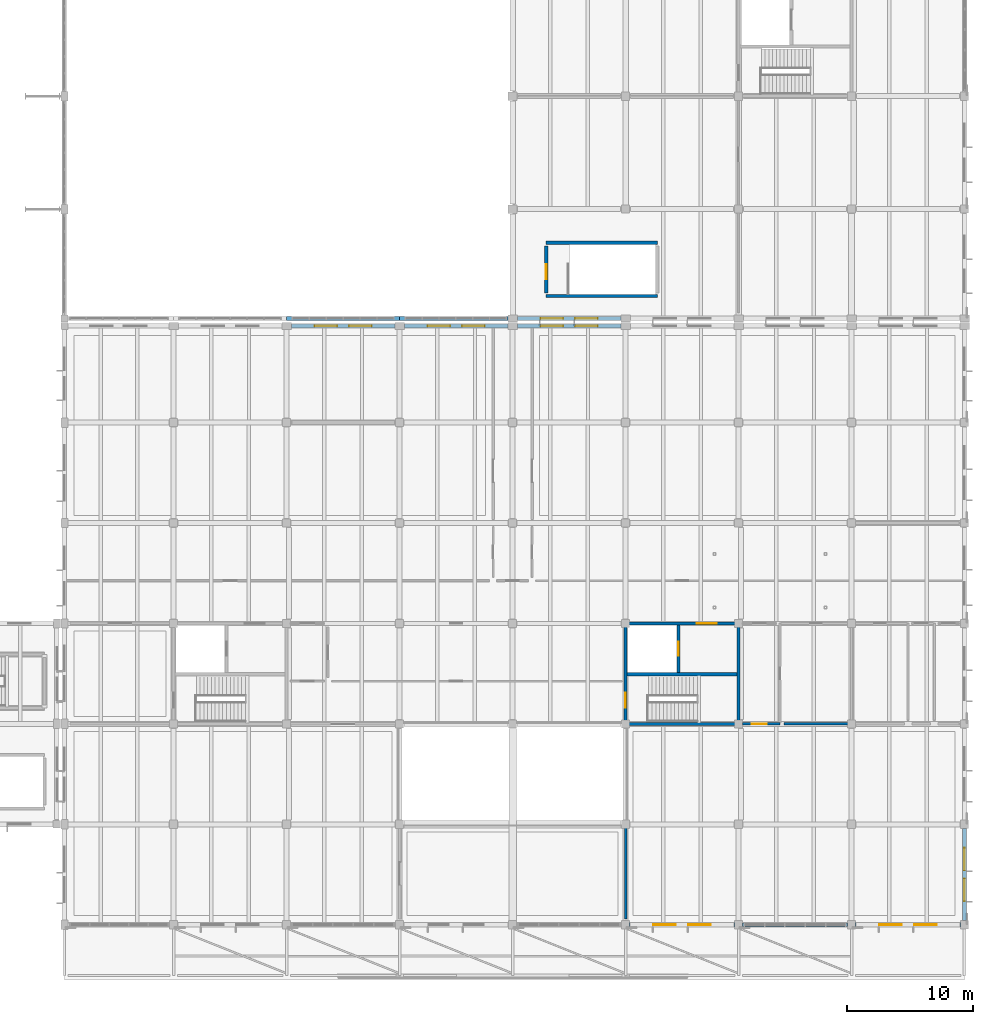
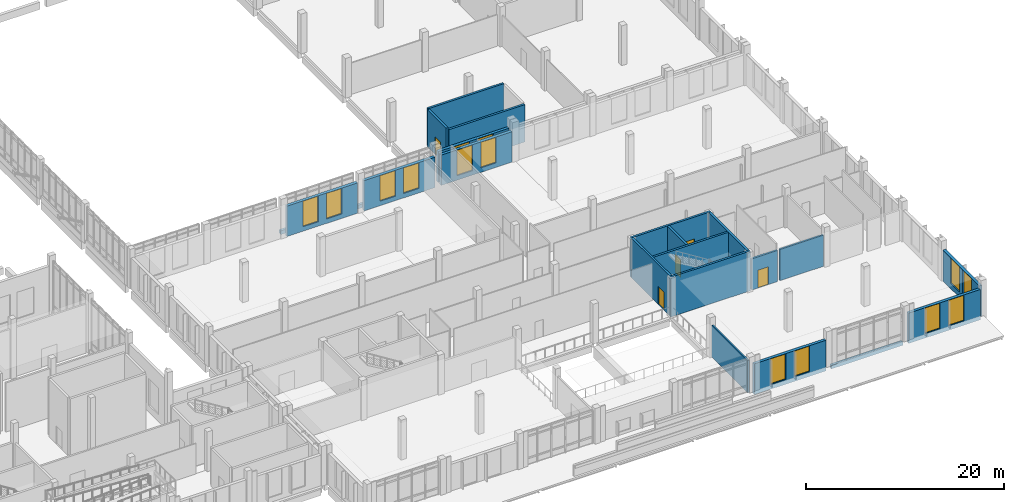
# One storey, part 86 of 110: 22 walls, 14 windows, 5 doors, 19 openings.
"""IFC4 building model written with IfcOpenShell, lengths in metres."""

from ifc_helpers import new_model, si_unit, direction, frame, frame_2d, origin, place, context, subcontext, project, spatial, rectangle, extrude, material, layer, layer_set, type_object, element, fill, save


model = new_model("IFC4")

# Units and contexts
model_context = context("Model", 3, precision=1e-05, world=origin(), true_north=direction((0.0, 1.0)))
body_context = subcontext(model_context, "Body", "Model", "MODEL_VIEW")
ifc_project = project(units=[si_unit("LENGTHUNIT", "METRE"), si_unit("AREAUNIT", "SQUARE_METRE"), si_unit("VOLUMEUNIT", "CUBIC_METRE"), si_unit("PLANEANGLEUNIT", "RADIAN"), si_unit("MASSUNIT", "GRAM", prefix="KILO")], contexts=[model_context])

# Site, building, storey
site_placement = place(None, origin())
site = spatial("IfcSite", under=ifc_project, at=site_placement, CompositionType="ELEMENT")
building_placement = place(site_placement, origin())
building = spatial("IfcBuilding", under=site, at=building_placement, Name="Zacnel Wholesale Market", CompositionType="ELEMENT")
storey_placement = place(building_placement, frame((0.0, 0.0, 6.300048828125)))
storey = spatial("IfcBuildingStorey", under=building, at=storey_placement, Name="L02", CompositionType="ELEMENT", Elevation=6.300048828125)

# Walls
ifc_material_1 = material(Name="PIR insulated cold-store panel")
ifc_layer_1 = layer(ifc_material_1, 0.195068359375)
ifc_layer_set_1 = layer_set([ifc_layer_1], Name="PIR insulated cold-store panel")
wall_type_1 = type_object("IfcWallType", Name="WL-COLD-INT195", PredefinedType="STANDARD", material=ifc_layer_set_1)
wall_1_placement = place(storey_placement, frame((189.0, 0.449951171875, 0.0), z_axis=(0.0, 0.0, 1.0), x_axis=(0.0, 1.0, 0.0)))
element("IfcWall", 1, at=wall_1_placement, inside=storey, type_object=wall_type_1, Name="Interior partition L02-0128", PredefinedType="STANDARD", context=body_context, shape_type="SweptSolid", body=[
    extrude(rectangle(XDim=7.25, YDim=0.195068359375, at=frame_2d((3.625, 0.0))), origin(), (0.0, 0.0, 1.0), 3.949951171875),
])
wall_2_placement = place(storey_placement, frame((201.60009765625, 16.0, 0.0), z_axis=(0.0, 0.0, 1.0), x_axis=(1.0, 0.0, 0.0)))
element("IfcWall", 2, at=wall_2_placement, inside=storey, type_object=wall_type_1, Name="Interior partition L02-0130", PredefinedType="STANDARD", context=body_context, shape_type="SweptSolid", body=[
    extrude(rectangle(XDim=5.099853515625, YDim=0.195068359375, at=frame_2d((2.5498046875, 0.0))), origin(), (0.0, 0.0, 1.0), 3.849853515625),
])

# Wall, opening, door
ifc_material_2 = material(Name="PIR insulated cold-store panel")
ifc_layer_2 = layer(ifc_material_2, 0.2099609375)
ifc_layer_set_2 = layer_set([ifc_layer_2], Name="PIR insulated cold-store panel")
wall_type_2 = type_object("IfcWallType", Name="WL-COLD-INT210", PredefinedType="STANDARD", material=ifc_layer_set_2)
wall_3_placement = place(storey_placement, frame((198.300048828125, 16.0, 0.0), z_axis=(0.0, 0.0, 1.0), x_axis=(1.0, 0.0, 0.0)))
wall_3 = element("IfcWall", 3, at=wall_3_placement, inside=storey, type_object=wall_type_2, Name="Interior partition L02-0129", PredefinedType="STANDARD", context=body_context, shape_type="SweptSolid", body=[
    extrude(rectangle(XDim=3.0, YDim=0.2099609375, at=frame_2d((1.5, 0.0))), origin(), (0.0, 0.0, 1.0), 3.849853515625),
])
opening_1_placement = place(wall_3_placement, frame((0.75, 0.0, 0.0)))
opening_1 = element("IfcOpeningElement", 4, at=opening_1_placement, cuts=wall_3, Name="Opening FD-01", PredefinedType="OPENING", context=body_context, shape_type="SweptSolid", body=[
    extrude(rectangle(XDim=1.199951171875, YDim=2.199951171875, at=frame_2d((0.60009765625, 1.10009765625))), frame((0.0, 0.114990234375, 0.0), z_axis=(0.0, -1.0, 0.0), x_axis=(1.0, 0.0, 0.0)), (0.0, 0.0, 1.0), 0.22998046875),
])
ifc_material_3 = material(Name="Galvanized steel", Category="steel")
door_type_1 = type_object("IfcDoorType", Name="DR-FIRE-STAIR-1200", OperationType="NOTDEFINED", PredefinedType="DOOR", material=ifc_material_3)
door_1_placement = place(opening_1_placement, origin())
door_1 = element("IfcDoor", 5, at=door_1_placement, inside=storey, type_object=door_type_1, Name="Interior door L02-0105", OperationType="SINGLE_SWING_LEFT", OverallHeight=2.199951171875, OverallWidth=1.199951171875, PredefinedType="DOOR", context=body_context, shape_type="SweptSolid", body=[
    extrude(rectangle(XDim=1.199951171875, YDim=2.199951171875, at=frame_2d((0.60009765625, 1.10009765625))), frame((0.0, 0.02490234375, 0.0), z_axis=(0.0, -1.0, 0.0), x_axis=(1.0, 0.0, 0.0)), (0.0, 0.0, 1.0), 0.050048828125),
])
fill(opening_1, door_1)

# Wall
ifc_material_4 = material(Name="Concrete C40/50", Category="concrete")
ifc_layer_3 = layer(ifc_material_4, 0.25)
ifc_layer_set_3 = layer_set([ifc_layer_3], Name="Concrete C40/50")
wall_type_3 = type_object("IfcWallType", Name="WL-CORE-SW250", PredefinedType="SOLIDWALL", material=ifc_layer_set_3)
wall_4_placement = place(storey_placement, frame((188.875, 16.0, 0.0), z_axis=(0.0, 0.0, 1.0), x_axis=(1.0, 0.0, 0.0)))
element("IfcWall", 6, at=wall_4_placement, inside=storey, type_object=wall_type_3, Name="Core C2 south shear wall L02", PredefinedType="SOLIDWALL", context=body_context, shape_type="SweptSolid", body=[
    extrude(rectangle(XDim=9.25, YDim=0.25, at=frame_2d((4.625, 0.0))), origin(), (0.0, 0.0, 1.0), 4.89990234375),
])

# Wall, opening, door
wall_5_placement = place(storey_placement, frame((188.875, 24.0, 0.0), z_axis=(0.0, 0.0, 1.0), x_axis=(1.0, 0.0, 0.0)))
wall_5 = element("IfcWall", 7, at=wall_5_placement, inside=storey, type_object=wall_type_3, Name="Core C2 north shear wall L02", PredefinedType="SOLIDWALL", context=body_context, shape_type="SweptSolid", body=[
    extrude(rectangle(XDim=9.25, YDim=0.25, at=frame_2d((4.625, 0.0))), origin(), (0.0, 0.0, 1.0), 4.89990234375),
])
opening_2_placement = place(wall_5_placement, frame((5.77490234375, 0.0, 0.0)))
opening_2 = element("IfcOpeningElement", 8, at=opening_2_placement, cuts=wall_5, Name="Opening FD-02", PredefinedType="OPENING", context=body_context, shape_type="SweptSolid", body=[
    extrude(rectangle(XDim=1.60009765625, YDim=2.199951171875, at=frame_2d((0.800048828125, 1.10009765625))), frame((0.0, 0.135009765625, 0.0), z_axis=(0.0, -1.0, 0.0), x_axis=(1.0, 0.0, 0.0)), (0.0, 0.0, 1.0), 0.27001953125),
])
ifc_material_5 = material(Name="Galvanized steel", Category="steel")
door_type_2 = type_object("IfcDoorType", Name="DR-FIRE-LOBBY-1600", OperationType="NOTDEFINED", PredefinedType="DOOR", material=ifc_material_5)
door_2_placement = place(opening_2_placement, origin())
door_2 = element("IfcDoor", 9, at=door_2_placement, inside=storey, type_object=door_type_2, Name="Core lift lobby fire door C2 L02", OperationType="SINGLE_SWING_LEFT", OverallHeight=2.199951171875, OverallWidth=1.60009765625, PredefinedType="DOOR", context=body_context, shape_type="SweptSolid", body=[
    extrude(rectangle(XDim=1.60009765625, YDim=2.199951171875, at=frame_2d((0.800048828125, 1.10009765625))), frame((0.0, 0.02490234375, 0.0), z_axis=(0.0, -1.0, 0.0), x_axis=(1.0, 0.0, 0.0)), (0.0, 0.0, 1.0), 0.050048828125),
])
fill(opening_2, door_2)

wall_6_placement = place(storey_placement, frame((189.0, 16.125, 0.0), z_axis=(0.0, 0.0, 1.0), x_axis=(0.0, 1.0, 0.0)))
wall_6 = element("IfcWall", 10, at=wall_6_placement, inside=storey, type_object=wall_type_3, Name="Core C2 west shear wall L02", PredefinedType="SOLIDWALL", context=body_context, shape_type="SweptSolid", body=[
    extrude(rectangle(XDim=7.75, YDim=0.25, at=frame_2d((3.875, 0.0))), origin(), (0.0, 0.0, 1.0), 4.89990234375),
])
opening_3_placement = place(wall_6_placement, frame((1.14990234375, 0.0, 0.0)))
opening_3 = element("IfcOpeningElement", 11, at=opening_3_placement, cuts=wall_6, Name="Opening FD-01", PredefinedType="OPENING", context=body_context, shape_type="SweptSolid", body=[
    extrude(rectangle(XDim=1.199951171875, YDim=2.199951171875, at=frame_2d((0.60009765625, 1.10009765625))), frame((0.0, 0.135009765625, 0.0), z_axis=(0.0, -1.0, 0.0), x_axis=(1.0, 0.0, 0.0)), (0.0, 0.0, 1.0), 0.27001953125),
])
door_3_placement = place(opening_3_placement, origin())
door_3 = element("IfcDoor", 12, at=door_3_placement, inside=storey, type_object=door_type_1, Name="Protected stair fire door C2 L02", OperationType="SINGLE_SWING_RIGHT", OverallHeight=2.199951171875, OverallWidth=1.199951171875, PredefinedType="DOOR", context=body_context, shape_type="SweptSolid", body=[
    extrude(rectangle(XDim=1.199951171875, YDim=2.199951171875, at=frame_2d((0.60009765625, 1.10009765625))), frame((0.0, 0.02490234375, 0.0), z_axis=(0.0, -1.0, 0.0), x_axis=(1.0, 0.0, 0.0)), (0.0, 0.0, 1.0), 0.050048828125),
])
fill(opening_3, door_3)

# Walls
wall_7_placement = place(storey_placement, frame((198.0, 16.125, 0.0), z_axis=(0.0, 0.0, 1.0), x_axis=(0.0, 1.0, 0.0)))
element("IfcWall", 13, at=wall_7_placement, inside=storey, type_object=wall_type_3, Name="Core C2 east shear wall L02", PredefinedType="SOLIDWALL", context=body_context, shape_type="SweptSolid", body=[
    extrude(rectangle(XDim=7.75, YDim=0.25, at=frame_2d((3.875, 0.0))), origin(), (0.0, 0.0, 1.0), 4.89990234375),
])
wall_8_placement = place(storey_placement, frame((189.125, 19.949951171875, 0.0), z_axis=(0.0, 0.0, 1.0), x_axis=(1.0, 0.0, 0.0)))
element("IfcWall", 14, at=wall_8_placement, inside=storey, type_object=wall_type_3, Name="Core C2 stair-shaft shear wall L02", PredefinedType="SOLIDWALL", context=body_context, shape_type="SweptSolid", body=[
    extrude(rectangle(XDim=8.75, YDim=0.25, at=frame_2d((4.375, 0.0))), origin(), (0.0, 0.0, 1.0), 4.89990234375),
])

# Wall, opening, door
wall_9_placement = place(storey_placement, frame((193.199951171875, 20.074951171875, 0.0), z_axis=(0.0, 0.0, 1.0), x_axis=(0.0, 1.0, 0.0)))
wall_9 = element("IfcWall", 15, at=wall_9_placement, inside=storey, type_object=wall_type_3, Name="Core C2 lift shaft front wall L02", PredefinedType="SOLIDWALL", context=body_context, shape_type="SweptSolid", body=[
    extrude(rectangle(XDim=3.800048828125, YDim=0.25, at=frame_2d((1.89990234375, 0.0))), origin(), (0.0, 0.0, 1.0), 4.89990234375),
])
opening_4_placement = place(wall_9_placement, frame((1.35009765625, 0.0, 0.0)))
opening_4 = element("IfcOpeningElement", 16, at=opening_4_placement, cuts=wall_9, Name="Opening LD-01", PredefinedType="OPENING", context=body_context, shape_type="SweptSolid", body=[
    extrude(rectangle(XDim=1.10009765625, YDim=2.199951171875, at=frame_2d((0.550048828125, 1.10009765625))), frame((0.0, 0.135009765625, 0.0), z_axis=(0.0, -1.0, 0.0), x_axis=(1.0, 0.0, 0.0)), (0.0, 0.0, 1.0), 0.27001953125),
])
ifc_material_6 = material(Name="Galvanized steel", Category="steel")
door_type_3 = type_object("IfcDoorType", Name="DR-LIFT-PASS-1100", OperationType="NOTDEFINED", PredefinedType="DOOR", material=ifc_material_6)
door_4_placement = place(opening_4_placement, origin())
door_4 = element("IfcDoor", 17, at=door_4_placement, inside=storey, type_object=door_type_3, Name="Lift landing door LP-02 L02", OperationType="SLIDING_TO_LEFT", OverallHeight=2.199951171875, OverallWidth=1.10009765625, PredefinedType="DOOR", context=body_context, shape_type="SweptSolid", body=[
    extrude(rectangle(XDim=1.10009765625, YDim=2.199951171875, at=frame_2d((0.550048828125, 1.10009765625))), frame((0.0, 0.02490234375, 0.0), z_axis=(0.0, -1.0, 0.0), x_axis=(1.0, 0.0, 0.0)), (0.0, 0.0, 1.0), 0.050048828125),
])
fill(opening_4, door_4)

# Walls
for number, where, z_axis, x_axis, name in (
    (18, (182.675048828125, 50.074951171875, 0.0), (0.0, 0.0, 1.0), (1.0, 0.0, 0.0), "Stair ST-22 south enclosure wall L02"),
    (19, (182.675048828125, 54.324951171875, 0.0), (0.0, 0.0, 1.0), (1.0, 0.0, 0.0), "Stair ST-22 north enclosure wall L02"),
):
    element("IfcWall", number, at=place(storey_placement, frame(where, z_axis=z_axis, x_axis=x_axis)), inside=storey, type_object=wall_type_3, Name=name, PredefinedType="SOLIDWALL", context=body_context, shape_type="SweptSolid", body=[
        extrude(rectangle(XDim=8.849853515625, YDim=0.25, at=frame_2d((4.4248046875, 0.0))), origin(), (0.0, 0.0, 1.0), 4.599853515625),
    ])

# Wall, opening, door
wall_10_placement = place(storey_placement, frame((182.675048828125, 50.324951171875, 0.0), z_axis=(0.0, 0.0, 1.0), x_axis=(0.0, 1.0, 0.0)))
wall_10 = element("IfcWall", 20, at=wall_10_placement, inside=storey, type_object=wall_type_3, Name="Stair ST-22 west enclosure wall L02", PredefinedType="SOLIDWALL", context=body_context, shape_type="SweptSolid", body=[
    extrude(rectangle(XDim=3.75, YDim=0.25, at=frame_2d((1.875, 0.0))), origin(), (0.0, 0.0, 1.0), 4.599853515625),
])
opening_5_placement = place(wall_10_placement, frame((1.10009765625, 0.0, 0.0)))
opening_5 = element("IfcOpeningElement", 21, at=opening_5_placement, cuts=wall_10, Name="Opening FD-01", PredefinedType="OPENING", context=body_context, shape_type="SweptSolid", body=[
    extrude(rectangle(XDim=1.199951171875, YDim=2.199951171875, at=frame_2d((0.60009765625, 1.10009765625))), frame((0.0, 0.135009765625, 0.0), z_axis=(0.0, -1.0, 0.0), x_axis=(1.0, 0.0, 0.0)), (0.0, 0.0, 1.0), 0.27001953125),
])
door_5_placement = place(opening_5_placement, origin())
door_5 = element("IfcDoor", 22, at=door_5_placement, inside=storey, type_object=door_type_1, Name="Stair ST-22 fire door L02", OperationType="SINGLE_SWING_LEFT", OverallHeight=2.199951171875, OverallWidth=1.199951171875, PredefinedType="DOOR", context=body_context, shape_type="SweptSolid", body=[
    extrude(rectangle(XDim=1.199951171875, YDim=2.199951171875, at=frame_2d((0.60009765625, 1.10009765625))), frame((0.0, 0.02490234375, 0.0), z_axis=(0.0, -1.0, 0.0), x_axis=(1.0, 0.0, 0.0)), (0.0, 0.0, 1.0), 0.050048828125),
])
fill(opening_5, door_5)

# Walls
ifc_material_7 = material(Name="Precast concrete C40/50 (Cancun limestone aggregate)", Category="masonry")
ifc_layer_4 = layer(ifc_material_7, 0.300048828125)
ifc_layer_set_4 = layer_set([ifc_layer_4], Name="Precast concrete C40/50 (Cancun limestone aggregate)")
wall_type_4 = type_object("IfcWallType", Name="WL-EXT-LIME-300", PredefinedType="SOLIDWALL", material=ifc_layer_set_4)
wall_11_placement = place(storey_placement, frame((198.324951171875, 0.0, 0.0), z_axis=(0.0, 0.0, 1.0), x_axis=(1.0, 0.0, 0.0)))
element("IfcWall", 23, at=wall_11_placement, inside=storey, type_object=wall_type_4, Name="Curtain-wall limestone plinth L02-0019", PredefinedType="SOLIDWALL", context=body_context, shape_type="SweptSolid", body=[
    extrude(rectangle(XDim=8.35009765625, YDim=0.300048828125, at=frame_2d((4.175048828125, 0.0))), origin(), (0.0, 0.0, 1.0), 0.449951171875),
])
wall_12_placement = place(storey_placement, frame((162.0, 48.300048828125, 0.0), z_axis=(0.0, 0.0, 1.0), x_axis=(1.0, 0.0, 0.0)))
element("IfcWall", 24, at=wall_12_placement, inside=storey, type_object=wall_type_4, Name="Curtain-wall limestone plinth L02-0039", PredefinedType="SOLIDWALL", context=body_context, shape_type="SweptSolid", body=[
    extrude(rectangle(XDim=9.0, YDim=0.300048828125, at=frame_2d((4.5, 0.0))), origin(), (0.0, 0.0, 1.0), 0.449951171875),
])
wall_13_placement = place(storey_placement, frame((171.0, 48.300048828125, 0.0), z_axis=(0.0, 0.0, 1.0), x_axis=(1.0, 0.0, 0.0)))
element("IfcWall", 25, at=wall_13_placement, inside=storey, type_object=wall_type_4, Name="Curtain-wall limestone plinth L02-0040", PredefinedType="SOLIDWALL", context=body_context, shape_type="SweptSolid", body=[
    extrude(rectangle(XDim=8.625, YDim=0.300048828125, at=frame_2d((4.3125, 0.0))), origin(), (0.0, 0.0, 1.0), 0.449951171875),
])

# Wall, openings, windows
ifc_material_8 = material(Name="Precast concrete C40/50 (Cancun limestone aggregate)", Category="masonry")
ifc_layer_5 = layer(ifc_material_8, 0.340087890625)
ifc_layer_set_5 = layer_set([ifc_layer_5], Name="Precast concrete C40/50 (Cancun limestone aggregate)")
wall_type_5 = type_object("IfcWallType", Name="WL-EXT-LIME-340", PredefinedType="SOLIDWALL", material=ifc_layer_set_5)
wall_14_placement = place(storey_placement, frame((189.324951171875, 0.0, 0.0), z_axis=(0.0, 0.0, 1.0), x_axis=(1.0, 0.0, 0.0)))
wall_14 = element("IfcWall", 26, at=wall_14_placement, inside=storey, type_object=wall_type_5, Name="Exterior wall L02-0261", PredefinedType="SOLIDWALL", context=body_context, shape_type="SweptSolid", body=[
    extrude(rectangle(XDim=8.35009765625, YDim=0.340087890625, at=frame_2d((4.175048828125, 0.0))), origin(), (0.0, 0.0, 1.0), 3.780029296875),
])
opening_6_placement = place(wall_14_placement, frame((1.883056640625, 0.0, 0.590087890625)))
opening_6 = element("IfcOpeningElement", 27, at=opening_6_placement, cuts=wall_14, Name="Opening W-03", PredefinedType="OPENING", context=body_context, shape_type="SweptSolid", body=[
    extrude(rectangle(XDim=1.800048828125, YDim=3.14990234375, at=frame_2d((0.89990234375, 1.574951171875))), frame((0.0, 0.179931640625, 0.0), z_axis=(0.0, -1.0, 0.0), x_axis=(1.0, 0.0, 0.0)), (0.0, 0.0, 1.0), 0.360107421875),
])
opening_7_placement = place(wall_14_placement, frame((4.6669921875, 0.0, 0.590087890625)))
opening_7 = element("IfcOpeningElement", 28, at=opening_7_placement, cuts=wall_14, Name="Opening W-03", PredefinedType="OPENING", context=body_context, shape_type="SweptSolid", body=[
    extrude(rectangle(XDim=1.800048828125, YDim=3.14990234375, at=frame_2d((0.89990234375, 1.574951171875))), frame((0.0, 0.179931640625, 0.0), z_axis=(0.0, -1.0, 0.0), x_axis=(1.0, 0.0, 0.0)), (0.0, 0.0, 1.0), 0.360107421875),
])
ifc_material_9 = material(Name="Laminated hurricane-impact low-E insulated glass", Category="glass")
window_type = type_object("IfcWindowType", Name="WIN-DEC-1800X3150", PartitioningType="DOUBLE_PANEL_VERTICAL", PredefinedType="WINDOW", material=ifc_material_9)
window_1_placement = place(opening_6_placement, origin())
window_1 = element("IfcWindow", 29, at=window_1_placement, inside=storey, type_object=window_type, Name="Window L02-0257", OverallHeight=3.14990234375, OverallWidth=1.800048828125, PartitioningType="DOUBLE_PANEL_VERTICAL", PredefinedType="WINDOW", context=body_context, shape_type="SweptSolid", body=[
    extrude(rectangle(XDim=1.800048828125, YDim=3.14990234375, at=frame_2d((0.89990234375, 1.574951171875))), frame((0.0, 0.030029296875, 0.0), z_axis=(0.0, -1.0, 0.0), x_axis=(1.0, 0.0, 0.0)), (0.0, 0.0, 1.0), 0.06005859375),
])
fill(opening_6, window_1)
window_2_placement = place(opening_7_placement, origin())
window_2 = element("IfcWindow", 30, at=window_2_placement, inside=storey, type_object=window_type, Name="Window L02-0258", OverallHeight=3.14990234375, OverallWidth=1.800048828125, PartitioningType="DOUBLE_PANEL_VERTICAL", PredefinedType="WINDOW", context=body_context, shape_type="SweptSolid", body=[
    extrude(rectangle(XDim=1.800048828125, YDim=3.14990234375, at=frame_2d((0.89990234375, 1.574951171875))), frame((0.0, 0.030029296875, 0.0), z_axis=(0.0, -1.0, 0.0), x_axis=(1.0, 0.0, 0.0)), (0.0, 0.0, 1.0), 0.06005859375),
])
fill(opening_7, window_2)

wall_15_placement = place(storey_placement, frame((207.324951171875, 0.0, 0.0), z_axis=(0.0, 0.0, 1.0), x_axis=(1.0, 0.0, 0.0)))
wall_15 = element("IfcWall", 31, at=wall_15_placement, inside=storey, type_object=wall_type_5, Name="Exterior wall L02-0262", PredefinedType="SOLIDWALL", context=body_context, shape_type="SweptSolid", body=[
    extrude(rectangle(XDim=8.35009765625, YDim=0.340087890625, at=frame_2d((4.175048828125, 0.0))), origin(), (0.0, 0.0, 1.0), 3.739990234375),
])
opening_8_placement = place(wall_15_placement, frame((1.883056640625, 0.0, 0.550048828125)))
opening_8 = element("IfcOpeningElement", 32, at=opening_8_placement, cuts=wall_15, Name="Opening W-03", PredefinedType="OPENING", context=body_context, shape_type="SweptSolid", body=[
    extrude(rectangle(XDim=1.800048828125, YDim=3.14990234375, at=frame_2d((0.89990234375, 1.574951171875))), frame((0.0, 0.179931640625, 0.0), z_axis=(0.0, -1.0, 0.0), x_axis=(1.0, 0.0, 0.0)), (0.0, 0.0, 1.0), 0.360107421875),
])
opening_9_placement = place(wall_15_placement, frame((4.6669921875, 0.0, 0.550048828125)))
opening_9 = element("IfcOpeningElement", 33, at=opening_9_placement, cuts=wall_15, Name="Opening W-03", PredefinedType="OPENING", context=body_context, shape_type="SweptSolid", body=[
    extrude(rectangle(XDim=1.800048828125, YDim=3.14990234375, at=frame_2d((0.89990234375, 1.574951171875))), frame((0.0, 0.179931640625, 0.0), z_axis=(0.0, -1.0, 0.0), x_axis=(1.0, 0.0, 0.0)), (0.0, 0.0, 1.0), 0.360107421875),
])
window_3_placement = place(opening_8_placement, origin())
window_3 = element("IfcWindow", 34, at=window_3_placement, inside=storey, type_object=window_type, Name="Window L02-0259", OverallHeight=3.14990234375, OverallWidth=1.800048828125, PartitioningType="DOUBLE_PANEL_VERTICAL", PredefinedType="WINDOW", context=body_context, shape_type="SweptSolid", body=[
    extrude(rectangle(XDim=1.800048828125, YDim=3.14990234375, at=frame_2d((0.89990234375, 1.574951171875))), frame((0.0, 0.030029296875, 0.0), z_axis=(0.0, -1.0, 0.0), x_axis=(1.0, 0.0, 0.0)), (0.0, 0.0, 1.0), 0.06005859375),
])
fill(opening_8, window_3)
window_4_placement = place(opening_9_placement, origin())
window_4 = element("IfcWindow", 35, at=window_4_placement, inside=storey, type_object=window_type, Name="Window L02-0260", OverallHeight=3.14990234375, OverallWidth=1.800048828125, PartitioningType="DOUBLE_PANEL_VERTICAL", PredefinedType="WINDOW", context=body_context, shape_type="SweptSolid", body=[
    extrude(rectangle(XDim=1.800048828125, YDim=3.14990234375, at=frame_2d((0.89990234375, 1.574951171875))), frame((0.0, 0.030029296875, 0.0), z_axis=(0.0, -1.0, 0.0), x_axis=(1.0, 0.0, 0.0)), (0.0, 0.0, 1.0), 0.06005859375),
])
fill(opening_9, window_4)

wall_16_placement = place(storey_placement, frame((162.375, 47.699951171875, 0.0), z_axis=(0.0, 0.0, 1.0), x_axis=(1.0, 0.0, 0.0)))
wall_16 = element("IfcWall", 36, at=wall_16_placement, inside=storey, type_object=wall_type_5, Name="Exterior wall L02-0265", PredefinedType="SOLIDWALL", context=body_context, shape_type="SweptSolid", body=[
    extrude(rectangle(XDim=8.25, YDim=0.340087890625, at=frame_2d((4.125, 0.0))), origin(), (0.0, 0.0, 1.0), 3.739990234375),
])
opening_10_placement = place(wall_16_placement, frame((1.85009765625, 0.0, 0.550048828125)))
opening_10 = element("IfcOpeningElement", 37, at=opening_10_placement, cuts=wall_16, Name="Opening W-03", PredefinedType="OPENING", context=body_context, shape_type="SweptSolid", body=[
    extrude(rectangle(XDim=1.800048828125, YDim=3.14990234375, at=frame_2d((0.89990234375, 1.574951171875))), frame((0.0, 0.179931640625, 0.0), z_axis=(0.0, -1.0, 0.0), x_axis=(1.0, 0.0, 0.0)), (0.0, 0.0, 1.0), 0.360107421875),
])
opening_11_placement = place(wall_16_placement, frame((4.60009765625, 0.0, 0.550048828125)))
opening_11 = element("IfcOpeningElement", 38, at=opening_11_placement, cuts=wall_16, Name="Opening W-03", PredefinedType="OPENING", context=body_context, shape_type="SweptSolid", body=[
    extrude(rectangle(XDim=1.800048828125, YDim=3.14990234375, at=frame_2d((0.89990234375, 1.574951171875))), frame((0.0, 0.179931640625, 0.0), z_axis=(0.0, -1.0, 0.0), x_axis=(1.0, 0.0, 0.0)), (0.0, 0.0, 1.0), 0.360107421875),
])
window_5_placement = place(opening_10_placement, origin())
window_5 = element("IfcWindow", 39, at=window_5_placement, inside=storey, type_object=window_type, Name="Window L02-0265", OverallHeight=3.14990234375, OverallWidth=1.800048828125, PartitioningType="DOUBLE_PANEL_VERTICAL", PredefinedType="WINDOW", context=body_context, shape_type="SweptSolid", body=[
    extrude(rectangle(XDim=1.800048828125, YDim=3.14990234375, at=frame_2d((0.89990234375, 1.574951171875))), frame((0.0, 0.030029296875, 0.0), z_axis=(0.0, -1.0, 0.0), x_axis=(1.0, 0.0, 0.0)), (0.0, 0.0, 1.0), 0.06005859375),
])
fill(opening_10, window_5)
window_6_placement = place(opening_11_placement, origin())
window_6 = element("IfcWindow", 40, at=window_6_placement, inside=storey, type_object=window_type, Name="Window L02-0266", OverallHeight=3.14990234375, OverallWidth=1.800048828125, PartitioningType="DOUBLE_PANEL_VERTICAL", PredefinedType="WINDOW", context=body_context, shape_type="SweptSolid", body=[
    extrude(rectangle(XDim=1.800048828125, YDim=3.14990234375, at=frame_2d((0.89990234375, 1.574951171875))), frame((0.0, 0.030029296875, 0.0), z_axis=(0.0, -1.0, 0.0), x_axis=(1.0, 0.0, 0.0)), (0.0, 0.0, 1.0), 0.06005859375),
])
fill(opening_11, window_6)

wall_17_placement = place(storey_placement, frame((171.375, 47.699951171875, 0.0), z_axis=(0.0, 0.0, 1.0), x_axis=(1.0, 0.0, 0.0)))
wall_17 = element("IfcWall", 41, at=wall_17_placement, inside=storey, type_object=wall_type_5, Name="Exterior wall L02-0266", PredefinedType="SOLIDWALL", context=body_context, shape_type="SweptSolid", body=[
    extrude(rectangle(XDim=8.25, YDim=0.340087890625, at=frame_2d((4.125, 0.0))), origin(), (0.0, 0.0, 1.0), 3.739990234375),
])
opening_12_placement = place(wall_17_placement, frame((1.85009765625, 0.0, 0.550048828125)))
opening_12 = element("IfcOpeningElement", 42, at=opening_12_placement, cuts=wall_17, Name="Opening W-03", PredefinedType="OPENING", context=body_context, shape_type="SweptSolid", body=[
    extrude(rectangle(XDim=1.800048828125, YDim=3.14990234375, at=frame_2d((0.89990234375, 1.574951171875))), frame((0.0, 0.179931640625, 0.0), z_axis=(0.0, -1.0, 0.0), x_axis=(1.0, 0.0, 0.0)), (0.0, 0.0, 1.0), 0.360107421875),
])
opening_13_placement = place(wall_17_placement, frame((4.60009765625, 0.0, 0.550048828125)))
opening_13 = element("IfcOpeningElement", 43, at=opening_13_placement, cuts=wall_17, Name="Opening W-03", PredefinedType="OPENING", context=body_context, shape_type="SweptSolid", body=[
    extrude(rectangle(XDim=1.800048828125, YDim=3.14990234375, at=frame_2d((0.89990234375, 1.574951171875))), frame((0.0, 0.179931640625, 0.0), z_axis=(0.0, -1.0, 0.0), x_axis=(1.0, 0.0, 0.0)), (0.0, 0.0, 1.0), 0.360107421875),
])
window_7_placement = place(opening_12_placement, origin())
window_7 = element("IfcWindow", 44, at=window_7_placement, inside=storey, type_object=window_type, Name="Window L02-0267", OverallHeight=3.14990234375, OverallWidth=1.800048828125, PartitioningType="DOUBLE_PANEL_VERTICAL", PredefinedType="WINDOW", context=body_context, shape_type="SweptSolid", body=[
    extrude(rectangle(XDim=1.800048828125, YDim=3.14990234375, at=frame_2d((0.89990234375, 1.574951171875))), frame((0.0, 0.030029296875, 0.0), z_axis=(0.0, -1.0, 0.0), x_axis=(1.0, 0.0, 0.0)), (0.0, 0.0, 1.0), 0.06005859375),
])
fill(opening_12, window_7)
window_8_placement = place(opening_13_placement, origin())
window_8 = element("IfcWindow", 45, at=window_8_placement, inside=storey, type_object=window_type, Name="Window L02-0268", OverallHeight=3.14990234375, OverallWidth=1.800048828125, PartitioningType="DOUBLE_PANEL_VERTICAL", PredefinedType="WINDOW", context=body_context, shape_type="SweptSolid", body=[
    extrude(rectangle(XDim=1.800048828125, YDim=3.14990234375, at=frame_2d((0.89990234375, 1.574951171875))), frame((0.0, 0.030029296875, 0.0), z_axis=(0.0, -1.0, 0.0), x_axis=(1.0, 0.0, 0.0)), (0.0, 0.0, 1.0), 0.06005859375),
])
fill(opening_13, window_8)

wall_18_placement = place(storey_placement, frame((180.375, 47.699951171875, 0.0), z_axis=(0.0, 0.0, 1.0), x_axis=(1.0, 0.0, 0.0)))
wall_18 = element("IfcWall", 46, at=wall_18_placement, inside=storey, type_object=wall_type_5, Name="Exterior wall L02-0267", PredefinedType="SOLIDWALL", context=body_context, shape_type="SweptSolid", body=[
    extrude(rectangle(XDim=8.25, YDim=0.340087890625, at=frame_2d((4.125, 0.0))), origin(), (0.0, 0.0, 1.0), 3.739990234375),
])
opening_14_placement = place(wall_18_placement, frame((1.85009765625, 0.0, 0.550048828125)))
opening_14 = element("IfcOpeningElement", 47, at=opening_14_placement, cuts=wall_18, Name="Opening W-03", PredefinedType="OPENING", context=body_context, shape_type="SweptSolid", body=[
    extrude(rectangle(XDim=1.800048828125, YDim=3.14990234375, at=frame_2d((0.89990234375, 1.574951171875))), frame((0.0, 0.179931640625, 0.0), z_axis=(0.0, -1.0, 0.0), x_axis=(1.0, 0.0, 0.0)), (0.0, 0.0, 1.0), 0.360107421875),
])
opening_15_placement = place(wall_18_placement, frame((4.60009765625, 0.0, 0.550048828125)))
opening_15 = element("IfcOpeningElement", 48, at=opening_15_placement, cuts=wall_18, Name="Opening W-03", PredefinedType="OPENING", context=body_context, shape_type="SweptSolid", body=[
    extrude(rectangle(XDim=1.800048828125, YDim=3.14990234375, at=frame_2d((0.89990234375, 1.574951171875))), frame((0.0, 0.179931640625, 0.0), z_axis=(0.0, -1.0, 0.0), x_axis=(1.0, 0.0, 0.0)), (0.0, 0.0, 1.0), 0.360107421875),
])
window_9_placement = place(opening_14_placement, origin())
window_9 = element("IfcWindow", 49, at=window_9_placement, inside=storey, type_object=window_type, Name="Window L02-0269", OverallHeight=3.14990234375, OverallWidth=1.800048828125, PartitioningType="DOUBLE_PANEL_VERTICAL", PredefinedType="WINDOW", context=body_context, shape_type="SweptSolid", body=[
    extrude(rectangle(XDim=1.800048828125, YDim=3.14990234375, at=frame_2d((0.89990234375, 1.574951171875))), frame((0.0, 0.030029296875, 0.0), z_axis=(0.0, -1.0, 0.0), x_axis=(1.0, 0.0, 0.0)), (0.0, 0.0, 1.0), 0.06005859375),
])
fill(opening_14, window_9)
window_10_placement = place(opening_15_placement, origin())
window_10 = element("IfcWindow", 50, at=window_10_placement, inside=storey, type_object=window_type, Name="Window L02-0270", OverallHeight=3.14990234375, OverallWidth=1.800048828125, PartitioningType="DOUBLE_PANEL_VERTICAL", PredefinedType="WINDOW", context=body_context, shape_type="SweptSolid", body=[
    extrude(rectangle(XDim=1.800048828125, YDim=3.14990234375, at=frame_2d((0.89990234375, 1.574951171875))), frame((0.0, 0.030029296875, 0.0), z_axis=(0.0, -1.0, 0.0), x_axis=(1.0, 0.0, 0.0)), (0.0, 0.0, 1.0), 0.06005859375),
])
fill(opening_15, window_10)

wall_19_placement = place(storey_placement, frame((216.0, 0.324951171875, 0.0), z_axis=(0.0, 0.0, 1.0), x_axis=(0.0, 1.0, 0.0)))
wall_19 = element("IfcWall", 51, at=wall_19_placement, inside=storey, type_object=wall_type_5, Name="Exterior wall L02-0277", PredefinedType="SOLIDWALL", context=body_context, shape_type="SweptSolid", body=[
    extrude(rectangle(XDim=7.35009765625, YDim=0.340087890625, at=frame_2d((3.675048828125, 0.0))), origin(), (0.0, 0.0, 1.0), 3.81005859375),
])
opening_16_placement = place(wall_19_placement, frame((1.550048828125, 0.0, 0.6201171875)))
opening_16 = element("IfcOpeningElement", 52, at=opening_16_placement, cuts=wall_19, Name="Opening W-03", PredefinedType="OPENING", context=body_context, shape_type="SweptSolid", body=[
    extrude(rectangle(XDim=1.800048828125, YDim=3.14990234375, at=frame_2d((0.89990234375, 1.574951171875))), frame((0.0, 0.179931640625, 0.0), z_axis=(0.0, -1.0, 0.0), x_axis=(1.0, 0.0, 0.0)), (0.0, 0.0, 1.0), 0.360107421875),
])
opening_17_placement = place(wall_19_placement, frame((4.0, 0.0, 0.6201171875)))
opening_17 = element("IfcOpeningElement", 53, at=opening_17_placement, cuts=wall_19, Name="Opening W-03", PredefinedType="OPENING", context=body_context, shape_type="SweptSolid", body=[
    extrude(rectangle(XDim=1.800048828125, YDim=3.14990234375, at=frame_2d((0.89990234375, 1.574951171875))), frame((0.0, 0.179931640625, 0.0), z_axis=(0.0, -1.0, 0.0), x_axis=(1.0, 0.0, 0.0)), (0.0, 0.0, 1.0), 0.360107421875),
])
window_11_placement = place(opening_16_placement, origin())
window_11 = element("IfcWindow", 54, at=window_11_placement, inside=storey, type_object=window_type, Name="Window L02-0289", OverallHeight=3.14990234375, OverallWidth=1.800048828125, PartitioningType="DOUBLE_PANEL_VERTICAL", PredefinedType="WINDOW", context=body_context, shape_type="SweptSolid", body=[
    extrude(rectangle(XDim=1.800048828125, YDim=3.14990234375, at=frame_2d((0.89990234375, 1.574951171875))), frame((0.0, 0.030029296875, 0.0), z_axis=(0.0, -1.0, 0.0), x_axis=(1.0, 0.0, 0.0)), (0.0, 0.0, 1.0), 0.06005859375),
])
fill(opening_16, window_11)
window_12_placement = place(opening_17_placement, origin())
window_12 = element("IfcWindow", 55, at=window_12_placement, inside=storey, type_object=window_type, Name="Window L02-0290", OverallHeight=3.14990234375, OverallWidth=1.800048828125, PartitioningType="DOUBLE_PANEL_VERTICAL", PredefinedType="WINDOW", context=body_context, shape_type="SweptSolid", body=[
    extrude(rectangle(XDim=1.800048828125, YDim=3.14990234375, at=frame_2d((0.89990234375, 1.574951171875))), frame((0.0, 0.030029296875, 0.0), z_axis=(0.0, -1.0, 0.0), x_axis=(1.0, 0.0, 0.0)), (0.0, 0.0, 1.0), 0.06005859375),
])
fill(opening_17, window_12)

wall_20_placement = place(storey_placement, frame((180.375, 48.300048828125, 0.0), z_axis=(0.0, 0.0, 1.0), x_axis=(1.0, 0.0, 0.0)))
wall_20 = element("IfcWall", 56, at=wall_20_placement, inside=storey, type_object=wall_type_5, Name="Exterior wall L02-0298", PredefinedType="SOLIDWALL", context=body_context, shape_type="SweptSolid", body=[
    extrude(rectangle(XDim=8.25, YDim=0.340087890625, at=frame_2d((4.125, 0.0))), origin(), (0.0, 0.0, 1.0), 3.800048828125),
])
opening_18_placement = place(wall_20_placement, frame((1.85009765625, 0.0, 0.610107421875)))
opening_18 = element("IfcOpeningElement", 57, at=opening_18_placement, cuts=wall_20, Name="Opening W-03", PredefinedType="OPENING", context=body_context, shape_type="SweptSolid", body=[
    extrude(rectangle(XDim=1.800048828125, YDim=3.14990234375, at=frame_2d((0.89990234375, 1.574951171875))), frame((0.0, 0.179931640625, 0.0), z_axis=(0.0, -1.0, 0.0), x_axis=(1.0, 0.0, 0.0)), (0.0, 0.0, 1.0), 0.360107421875),
])
opening_19_placement = place(wall_20_placement, frame((4.60009765625, 0.0, 0.610107421875)))
opening_19 = element("IfcOpeningElement", 58, at=opening_19_placement, cuts=wall_20, Name="Opening W-03", PredefinedType="OPENING", context=body_context, shape_type="SweptSolid", body=[
    extrude(rectangle(XDim=1.800048828125, YDim=3.14990234375, at=frame_2d((0.89990234375, 1.574951171875))), frame((0.0, 0.179931640625, 0.0), z_axis=(0.0, -1.0, 0.0), x_axis=(1.0, 0.0, 0.0)), (0.0, 0.0, 1.0), 0.360107421875),
])
window_13_placement = place(opening_18_placement, origin())
window_13 = element("IfcWindow", 59, at=window_13_placement, inside=storey, type_object=window_type, Name="Window L02-0331", OverallHeight=3.14990234375, OverallWidth=1.800048828125, PartitioningType="DOUBLE_PANEL_VERTICAL", PredefinedType="WINDOW", context=body_context, shape_type="SweptSolid", body=[
    extrude(rectangle(XDim=1.800048828125, YDim=3.14990234375, at=frame_2d((0.89990234375, 1.574951171875))), frame((0.0, 0.030029296875, 0.0), z_axis=(0.0, -1.0, 0.0), x_axis=(1.0, 0.0, 0.0)), (0.0, 0.0, 1.0), 0.06005859375),
])
fill(opening_18, window_13)
window_14_placement = place(opening_19_placement, origin())
window_14 = element("IfcWindow", 60, at=window_14_placement, inside=storey, type_object=window_type, Name="Window L02-0332", OverallHeight=3.14990234375, OverallWidth=1.800048828125, PartitioningType="DOUBLE_PANEL_VERTICAL", PredefinedType="WINDOW", context=body_context, shape_type="SweptSolid", body=[
    extrude(rectangle(XDim=1.800048828125, YDim=3.14990234375, at=frame_2d((0.89990234375, 1.574951171875))), frame((0.0, 0.030029296875, 0.0), z_axis=(0.0, -1.0, 0.0), x_axis=(1.0, 0.0, 0.0)), (0.0, 0.0, 1.0), 0.06005859375),
])
fill(opening_19, window_14)

save(model, "model.ifc")
